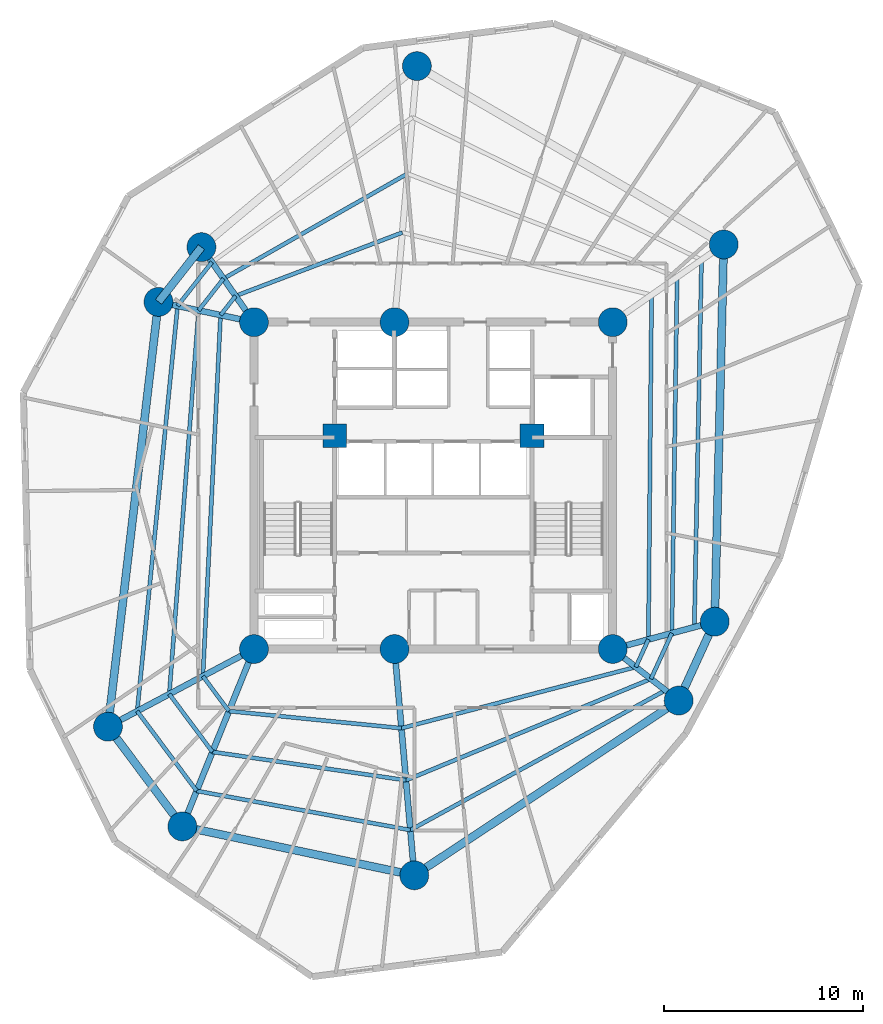
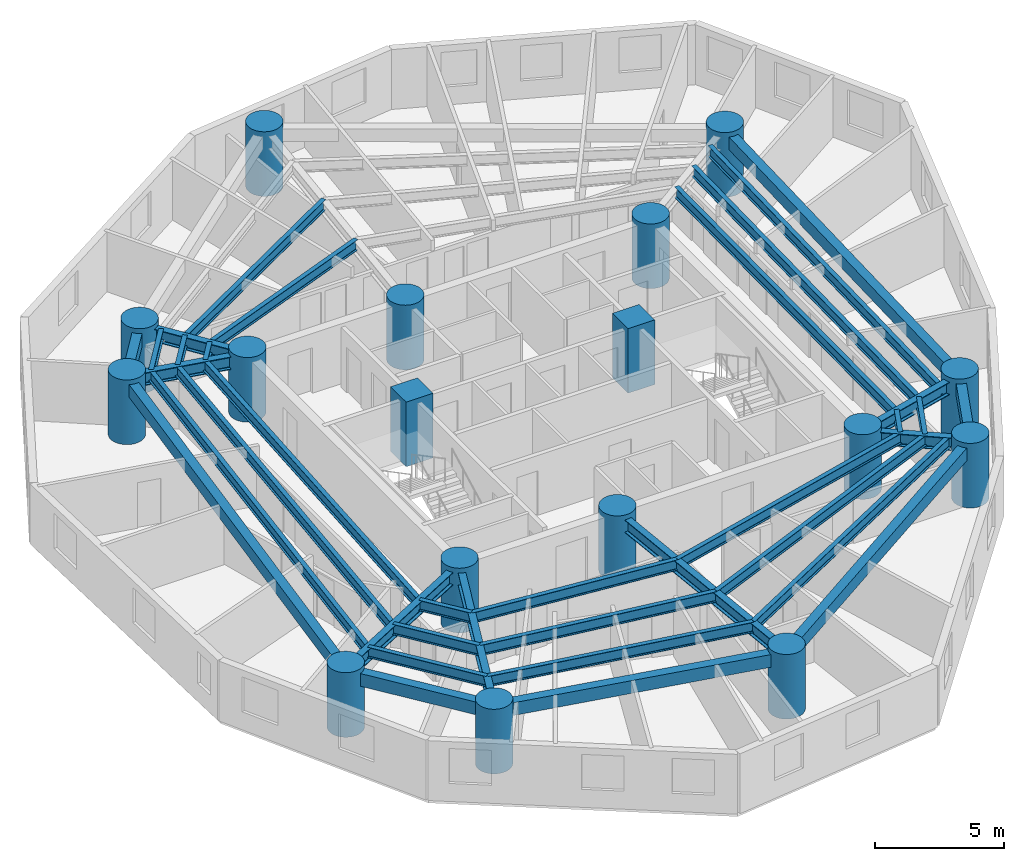
# One storey, part 1 of 8: 36 beams, 17 columns.
"""IFC4 building model written with IfcOpenShell, lengths in metres."""

from ifc_helpers import new_model, si_unit, direction, frame, origin, origin_with_axes, origin_2d, place, context, subcontext, project, spatial, rectangle, circle, i_section, extrude, source, transform, mapped, material, material_profile, profile_set, type_object, element, save


model = new_model("IFC4")

# Units and contexts
model_context = context("Model", 3, precision=1e-05, world=origin(), true_north=direction((0.0, 1.0)))
body_context = subcontext(model_context, "Body", "Model", "MODEL_VIEW")
ifc_project = project(units=[si_unit("LENGTHUNIT", "METRE"), si_unit("AREAUNIT", "SQUARE_METRE"), si_unit("VOLUMEUNIT", "CUBIC_METRE"), si_unit("PLANEANGLEUNIT", "RADIAN"), si_unit("MASSUNIT", "GRAM", prefix="KILO")], contexts=[model_context])

# Site, building, storey
site_placement = place(None, origin())
site = spatial("IfcSite", under=ifc_project, at=site_placement, CompositionType="ELEMENT")
building_placement = place(site_placement, origin())
building = spatial("IfcBuilding", under=site, at=building_placement, Name="Karkom Vertical University and Central Library", CompositionType="ELEMENT")
storey_placement = place(building_placement, frame((0.0, 0.0, 117.550048828125)))
storey = spatial("IfcBuildingStorey", under=building, at=storey_placement, Name="L32", CompositionType="ELEMENT", Elevation=117.550048828125)

# Columns
ifc_material_1 = material(Name="Concrete C50/60", Category="concrete")
ifc_material_profile_1 = material_profile(ifc_material_1, circle(Radius=0.72509765625, at=origin_2d()), Name="CFT-D1450")
ifc_profile_set_1 = profile_set([ifc_material_profile_1], Name="Concrete C50/60")
column_type_1 = type_object("IfcColumnType", Name="STR-COL-C-SC3", PredefinedType="COLUMN", material=ifc_profile_set_1)
shared_shape_1 = source(origin_with_axes(), body_context, "Body", "SweptSolid", [
    extrude(circle(Radius=0.72509765625, at=origin_2d()), origin(), (0.0, 0.0, 1.0), 3.050048828125),
])
for number, where, z_axis, x_axis, name in (
    (1, (19.5, 18.300048828125, 0.0), (0.0, 0.0, 1.0), (1.0, 0.0, 0.0), "Level 32 Spine Mega-Column SC-1"),
    (2, (26.550048828125, 18.300048828125, 0.0), (0.0, 0.0, 1.0), (1.0, 0.0, 0.0), "Level 32 Spine Mega-Column SC-2"),
    (3, (37.5, 18.300048828125, 0.0), (0.0, 0.0, 1.0), (1.0, 0.0, 0.0), "Level 32 Spine Mega-Column SC-3"),
    (4, (19.5, 34.699951171875, 0.0), (0.0, 0.0, 1.0), (1.0, 0.0, 0.0), "Level 32 Spine Mega-Column SC-4"),
    (5, (26.550048828125, 34.699951171875, 0.0), (0.0, 0.0, 1.0), (1.0, 0.0, 0.0), "Level 32 Spine Mega-Column SC-5"),
    (6, (37.5, 34.699951171875, 0.0), (0.0, 0.0, 1.0), (1.0, 0.0, 0.0), "Level 32 Spine Mega-Column SC-6"),
    (7, (42.618896484375, 19.672119140625, 0.0), (0.0, 0.0, 1.0), (1.0, 0.0, 0.0), "Level 32 Perimeter Mega-Column Z2-PC1"),
    (8, (43.070068359375, 38.60009765625, 0.0), (0.0, 0.0, 1.0), (1.0, 0.0, 0.0), "Level 32 Perimeter Mega-Column Z2-PC2"),
    (9, (27.674072265625, 47.551025390625, 0.0), (0.0, 0.0, 1.0), (1.0, 0.0, 0.0), "Level 32 Perimeter Mega-Column Z2-PC3"),
    (10, (16.862060546875, 38.468017578125, 0.0), (0.0, 0.0, 1.0), (1.0, 0.0, 0.0), "Level 32 Perimeter Mega-Column Z2-PC4"),
    (11, (14.70703125, 35.718994140625, 0.0), (0.0, 0.0, 1.0), (1.0, 0.0, 0.0), "Level 32 Perimeter Mega-Column Z2-PC5"),
    (12, (12.172119140625, 14.403076171875, 0.0), (0.0, 0.0, 1.0), (1.0, 0.0, 0.0), "Level 32 Perimeter Mega-Column Z2-PC6"),
    (13, (15.904052734375, 9.39892578125, 0.0), (0.0, 0.0, 1.0), (1.0, 0.0, 0.0), "Level 32 Perimeter Mega-Column Z2-PC7"),
    (14, (27.5439453125, 6.943115234375, 0.0), (0.0, 0.0, 1.0), (1.0, 0.0, 0.0), "Level 32 Perimeter Mega-Column Z2-PC8"),
    (15, (40.81005859375, 15.714111328125, 0.0), (0.0, 0.0, 1.0), (1.0, 0.0, 0.0), "Level 32 Perimeter Mega-Column Z2-PC9"),
):
    element("IfcColumn", number, at=place(storey_placement, frame(where, z_axis=z_axis, x_axis=x_axis)), inside=storey, type_object=column_type_1, Name=name, PredefinedType="COLUMN", context=body_context, shape_type="MappedRepresentation", body=[
        mapped(shared_shape_1, transform((0.0, 0.0, 0.0), scale=1.0)),
    ])
ifc_material_profile_2 = material_profile(ifc_material_1, rectangle(XDim=1.199951171875, YDim=1.199951171875, at=origin_2d()), Name="RC-1200x1200")
ifc_profile_set_2 = profile_set([ifc_material_profile_2], Name="Concrete C50/60")
column_type_2 = type_object("IfcColumnType", Name="STR-COL-C-CC1", PredefinedType="COLUMN", material=ifc_profile_set_2)
shared_shape_2 = source(origin_with_axes(), body_context, "Body", "SweptSolid", [
    extrude(rectangle(XDim=1.199951171875, YDim=1.199951171875, at=origin_2d()), origin(), (0.0, 0.0, 1.0), 3.050048828125),
])
for number, where, z_axis, x_axis, name in (
    (16, (23.550048828125, 29.0, 0.0), (0.0, 0.0, 1.0), (1.0, 0.0, 0.0), "Level 32 Core Node Column CC-1"),
    (17, (33.449951171875, 29.0, 0.0), (0.0, 0.0, 1.0), (1.0, 0.0, 0.0), "Level 32 Core Node Column CC-2"),
):
    element("IfcColumn", number, at=place(storey_placement, frame(where, z_axis=z_axis, x_axis=x_axis)), inside=storey, type_object=column_type_2, Name=name, PredefinedType="COLUMN", context=body_context, shape_type="MappedRepresentation", body=[
        mapped(shared_shape_2, transform((0.0, 0.0, 0.0), scale=1.0)),
    ])

# Beams
ifc_material_2 = material(Name="Precast concrete C45/55", Category="concrete")
ifc_material_profile_3 = material_profile(ifc_material_2, rectangle(XDim=0.39990234375, YDim=0.60009765625, at=origin_2d()), Name="SPB-400x600")
ifc_profile_set_3 = profile_set([ifc_material_profile_3], Name="Precast concrete C45/55")
beam_type_1 = type_object("IfcBeamType", Name="STR-BM-SP-1", PredefinedType="SPANDREL", material=ifc_profile_set_3)
shared_shape_3 = source(origin_with_axes(), body_context, "Body", "SweptSolid", [
    extrude(rectangle(XDim=0.39990234375, YDim=0.60009765625, at=origin_2d()), origin(), (0.0, 0.0, 1.0), 18.933349609375),
])
beam_1_placement = place(storey_placement, frame((42.618896484375, 19.672119140625, 2.52490234375), z_axis=(0.02382947333, 0.999716037783, 0.0), x_axis=(-0.999716037783, 0.02382947333, 0.0)))
element("IfcBeam", 18, at=beam_1_placement, inside=storey, type_object=beam_type_1, Name="Level 32 Perimeter Spandrel Beam 01", PredefinedType="SPANDREL", context=body_context, shape_type="MappedRepresentation", body=[
    mapped(shared_shape_3, transform((0.0, 0.0, 0.0), scale=1.0)),
])
shared_shape_4 = source(origin_with_axes(), body_context, "Body", "SweptSolid", [
    extrude(rectangle(XDim=0.39990234375, YDim=0.60009765625, at=origin_2d()), origin(), (0.0, 0.0, 1.0), 3.492919921875),
])
beam_2_placement = place(storey_placement, frame((16.862060546875, 38.468017578125, 2.52490234375), z_axis=(-0.616950700538, -0.787001799938, 0.0), x_axis=(0.787001799938, -0.616950700538, 0.0)))
element("IfcBeam", 19, at=beam_2_placement, inside=storey, type_object=beam_type_1, Name="Level 32 Perimeter Spandrel Beam 04", PredefinedType="SPANDREL", context=body_context, shape_type="MappedRepresentation", body=[
    mapped(shared_shape_4, transform((0.0, 0.0, 0.0), scale=1.0)),
])
shared_shape_5 = source(origin_with_axes(), body_context, "Body", "SweptSolid", [
    extrude(rectangle(XDim=0.39990234375, YDim=0.60009765625, at=origin_2d()), origin(), (0.0, 0.0, 1.0), 21.466064453125),
])
beam_3_placement = place(storey_placement, frame((14.70703125, 35.718994140625, 2.52490234375), z_axis=(-0.118088996795, -0.993003015522, 0.0), x_axis=(0.993003015522, -0.118088996795, 0.0)))
element("IfcBeam", 20, at=beam_3_placement, inside=storey, type_object=beam_type_1, Name="Level 32 Perimeter Spandrel Beam 05", PredefinedType="SPANDREL", context=body_context, shape_type="MappedRepresentation", body=[
    mapped(shared_shape_5, transform((0.0, 0.0, 0.0), scale=1.0)),
])
shared_shape_6 = source(origin_with_axes(), body_context, "Body", "SweptSolid", [
    extrude(rectangle(XDim=0.39990234375, YDim=0.60009765625, at=origin_2d()), origin(), (0.0, 0.0, 1.0), 6.242431640625),
])
beam_4_placement = place(storey_placement, frame((12.172119140625, 14.403076171875, 2.52490234375), z_axis=(0.59782643552, -0.801625569074, 0.0), x_axis=(0.801625569074, 0.59782643552, 0.0)))
element("IfcBeam", 21, at=beam_4_placement, inside=storey, type_object=beam_type_1, Name="Level 32 Perimeter Spandrel Beam 06", PredefinedType="SPANDREL", context=body_context, shape_type="MappedRepresentation", body=[
    mapped(shared_shape_6, transform((0.0, 0.0, 0.0), scale=1.0)),
])
shared_shape_7 = source(origin_with_axes(), body_context, "Body", "SweptSolid", [
    extrude(rectangle(XDim=0.39990234375, YDim=0.60009765625, at=origin_2d()), origin(), (0.0, 0.0, 1.0), 11.896240234375),
])
beam_5_placement = place(storey_placement, frame((15.904052734375, 9.39892578125, 2.52490234375), z_axis=(0.978459762135, -0.206437627101, 0.0), x_axis=(0.206437627101, 0.978459762135, 0.0)))
element("IfcBeam", 22, at=beam_5_placement, inside=storey, type_object=beam_type_1, Name="Level 32 Perimeter Spandrel Beam 07", PredefinedType="SPANDREL", context=body_context, shape_type="MappedRepresentation", body=[
    mapped(shared_shape_7, transform((0.0, 0.0, 0.0), scale=1.0)),
])
shared_shape_8 = source(origin_with_axes(), body_context, "Body", "SweptSolid", [
    extrude(rectangle(XDim=0.39990234375, YDim=0.60009765625, at=origin_2d()), origin(), (0.0, 0.0, 1.0), 15.903564453125),
])
beam_6_placement = place(storey_placement, frame((27.5439453125, 6.943115234375, 2.52490234375), z_axis=(0.834165069331, 0.551514856652, 0.0), x_axis=(-0.551514856652, 0.834165069331, 0.0)))
element("IfcBeam", 23, at=beam_6_placement, inside=storey, type_object=beam_type_1, Name="Level 32 Perimeter Spandrel Beam 08", PredefinedType="SPANDREL", context=body_context, shape_type="MappedRepresentation", body=[
    mapped(shared_shape_8, transform((0.0, 0.0, 0.0), scale=1.0)),
])
shared_shape_9 = source(origin_with_axes(), body_context, "Body", "SweptSolid", [
    extrude(rectangle(XDim=0.39990234375, YDim=0.60009765625, at=origin_2d()), origin(), (0.0, 0.0, 1.0), 4.351806640625),
])
beam_7_placement = place(storey_placement, frame((40.81005859375, 15.714111328125, 2.52490234375), z_axis=(0.415657668422, 0.909521139217, 0.0), x_axis=(-0.909521139217, 0.415657668422, 0.0)))
element("IfcBeam", 24, at=beam_7_placement, inside=storey, type_object=beam_type_1, Name="Level 32 Perimeter Spandrel Beam 09", PredefinedType="SPANDREL", context=body_context, shape_type="MappedRepresentation", body=[
    mapped(shared_shape_9, transform((0.0, 0.0, 0.0), scale=1.0)),
])
ifc_material_3 = material(Name="Steel S355", Category="steel")
ifc_material_profile_4 = material_profile(ifc_material_3, i_section(OverallWidth=0.199951171875, OverallDepth=0.5, WebThickness=0.01025390625, FlangeThickness=0.01611328125, FilletRadius=0.02099609375, at=origin_2d()), Name="IPE 500")
ifc_profile_set_4 = profile_set([ifc_material_profile_4], Name="Steel S355")
beam_type_2 = type_object("IfcBeamType", Name="STR-BM-SB-IPE500", PredefinedType="BEAM", material=ifc_profile_set_4)
shared_shape_10 = source(origin_with_axes(), body_context, "Body", "SweptSolid", [
    extrude(i_section(OverallWidth=0.199951171875, OverallDepth=0.5, WebThickness=0.01025390625, FlangeThickness=0.01611328125, FilletRadius=0.02099609375, at=origin_2d()), origin(), (0.0, 0.0, 1.0), 17.285400390625),
])
beam_8_placement = place(storey_placement, frame((39.29150390625, 18.7802734375, 2.574951171875), z_axis=(0.009138294648, 0.999958244914, 0.0), x_axis=(-0.999958244914, 0.009138294648, 0.0)))
element("IfcBeam", 25, at=beam_8_placement, inside=storey, type_object=beam_type_2, Name="Level 32 Secondary Composite Floor Beam 1.01", PredefinedType="BEAM", context=body_context, shape_type="MappedRepresentation", body=[
    mapped(shared_shape_10, transform((0.0, 0.0, 0.0), scale=1.0)),
])
shared_shape_11 = source(origin_with_axes(), body_context, "Body", "SweptSolid", [
    extrude(i_section(OverallWidth=0.199951171875, OverallDepth=0.5, WebThickness=0.01025390625, FlangeThickness=0.01611328125, FilletRadius=0.02099609375, at=origin_2d()), origin(), (0.0, 0.0, 1.0), 8.950439453125),
])
beam_9_placement = place(storey_placement, frame((26.943359375, 39.197998046875, 2.574951171875), z_axis=(-0.93478901494, -0.355203459368, 0.0), x_axis=(0.355203459368, -0.93478901494, 0.0)))
element("IfcBeam", 26, at=beam_9_placement, inside=storey, type_object=beam_type_2, Name="Level 32 Secondary Composite Floor Beam 1.03", PredefinedType="BEAM", context=body_context, shape_type="MappedRepresentation", body=[
    mapped(shared_shape_11, transform((0.0, 0.0, 0.0), scale=1.0)),
])
shared_shape_12 = source(origin_with_axes(), body_context, "Body", "SweptSolid", [
    extrude(i_section(OverallWidth=0.199951171875, OverallDepth=0.5, WebThickness=0.01025390625, FlangeThickness=0.01611328125, FilletRadius=0.02099609375, at=origin_2d()), origin(), (0.0, 0.0, 1.0), 1.222412109375),
])
beam_10_placement = place(storey_placement, frame((18.57666015625, 36.018798828125, 2.574951171875), z_axis=(-0.616895037184, -0.787045432677, 0.0), x_axis=(0.787045432677, -0.616895037184, 0.0)))
element("IfcBeam", 27, at=beam_10_placement, inside=storey, type_object=beam_type_2, Name="Level 32 Secondary Composite Floor Beam 1.04", PredefinedType="BEAM", context=body_context, shape_type="MappedRepresentation", body=[
    mapped(shared_shape_12, transform((0.0, 0.0, 0.0), scale=1.0)),
])
shared_shape_13 = source(origin_with_axes(), body_context, "Body", "SweptSolid", [
    extrude(i_section(OverallWidth=0.199951171875, OverallDepth=0.5, WebThickness=0.01025390625, FlangeThickness=0.01611328125, FilletRadius=0.02099609375, at=origin_2d()), origin(), (0.0, 0.0, 1.0), 18.142333984375),
])
beam_11_placement = place(storey_placement, frame((17.822509765625, 35.056640625, 2.574951171875), z_axis=(-0.048902644774, -0.998803549921, 0.0), x_axis=(0.998803549921, -0.048902644774, 0.0)))
element("IfcBeam", 28, at=beam_11_placement, inside=storey, type_object=beam_type_2, Name="Level 32 Secondary Composite Floor Beam 1.05", PredefinedType="BEAM", context=body_context, shape_type="MappedRepresentation", body=[
    mapped(shared_shape_13, transform((0.0, 0.0, 0.0), scale=1.0)),
])
shared_shape_14 = source(origin_with_axes(), body_context, "Body", "SweptSolid", [
    extrude(i_section(OverallWidth=0.199951171875, OverallDepth=0.5, WebThickness=0.01025390625, FlangeThickness=0.01611328125, FilletRadius=0.02099609375, at=origin_2d()), origin(), (0.0, 0.0, 1.0), 2.1845703125),
])
beam_12_placement = place(storey_placement, frame((16.935302734375, 16.93603515625, 2.574951171875), z_axis=(0.597870130664, -0.801592980795, 0.0), x_axis=(0.801592980795, 0.597870130664, 0.0)))
element("IfcBeam", 29, at=beam_12_placement, inside=storey, type_object=beam_type_2, Name="Level 32 Secondary Composite Floor Beam 1.06", PredefinedType="BEAM", context=body_context, shape_type="MappedRepresentation", body=[
    mapped(shared_shape_14, transform((0.0, 0.0, 0.0), scale=1.0)),
])
shared_shape_15 = source(origin_with_axes(), body_context, "Body", "SweptSolid", [
    extrude(i_section(OverallWidth=0.199951171875, OverallDepth=0.5, WebThickness=0.01025390625, FlangeThickness=0.01611328125, FilletRadius=0.02099609375, at=origin_2d()), origin(), (0.0, 0.0, 1.0), 8.698974609375),
])
beam_13_placement = place(storey_placement, frame((18.241455078125, 15.184814453125, 2.574951171875), z_axis=(0.995105588045, -0.098817349903, 0.0), x_axis=(0.098817349903, 0.995105588045, 0.0)))
element("IfcBeam", 30, at=beam_13_placement, inside=storey, type_object=beam_type_2, Name="Level 32 Secondary Composite Floor Beam 1.07", PredefinedType="BEAM", context=body_context, shape_type="MappedRepresentation", body=[
    mapped(shared_shape_15, transform((0.0, 0.0, 0.0), scale=1.0)),
])
shared_shape_16 = source(origin_with_axes(), body_context, "Body", "SweptSolid", [
    extrude(i_section(OverallWidth=0.199951171875, OverallDepth=0.5, WebThickness=0.01025390625, FlangeThickness=0.01611328125, FilletRadius=0.02099609375, at=origin_2d()), origin(), (0.0, 0.0, 1.0), 12.154541015625),
])
beam_14_placement = place(storey_placement, frame((26.89794921875, 14.3251953125, 2.574951171875), z_axis=(0.967579719768, 0.252565805077, 0.0), x_axis=(-0.252565805077, 0.967579719768, 0.0)))
element("IfcBeam", 31, at=beam_14_placement, inside=storey, type_object=beam_type_2, Name="Level 32 Secondary Composite Floor Beam 1.08", PredefinedType="BEAM", context=body_context, shape_type="MappedRepresentation", body=[
    mapped(shared_shape_16, transform((0.0, 0.0, 0.0), scale=1.0)),
])
shared_shape_17 = source(origin_with_axes(), body_context, "Body", "SweptSolid", [
    extrude(i_section(OverallWidth=0.199951171875, OverallDepth=0.5, WebThickness=0.01025390625, FlangeThickness=0.01611328125, FilletRadius=0.02099609375, at=origin_2d()), origin(), (0.0, 0.0, 1.0), 1.52294921875),
])
beam_15_placement = place(storey_placement, frame((38.658447265625, 17.39501953125, 2.574951171875), z_axis=(0.415649898107, 0.909524690266, 0.0), x_axis=(-0.909524690266, 0.415649898107, 0.0)))
element("IfcBeam", 32, at=beam_15_placement, inside=storey, type_object=beam_type_2, Name="Level 32 Secondary Composite Floor Beam 1.09", PredefinedType="BEAM", context=body_context, shape_type="MappedRepresentation", body=[
    mapped(shared_shape_17, transform((0.0, 0.0, 0.0), scale=1.0)),
])
shared_shape_18 = source(origin_with_axes(), body_context, "Body", "SweptSolid", [
    extrude(i_section(OverallWidth=0.199951171875, OverallDepth=0.5, WebThickness=0.01025390625, FlangeThickness=0.01611328125, FilletRadius=0.02099609375, at=origin_2d()), origin(), (0.0, 0.0, 1.0), 17.8681640625),
])
beam_16_placement = place(storey_placement, frame((40.468994140625, 19.095703125, 2.574951171875), z_axis=(0.014647239676, 0.999892723431, 0.0), x_axis=(-0.999892723431, 0.014647239676, 0.0)))
element("IfcBeam", 33, at=beam_16_placement, inside=storey, type_object=beam_type_2, Name="Level 32 Secondary Composite Floor Beam 2.01", PredefinedType="BEAM", context=body_context, shape_type="MappedRepresentation", body=[
    mapped(shared_shape_18, transform((0.0, 0.0, 0.0), scale=1.0)),
])
shared_shape_19 = source(origin_with_axes(), body_context, "Body", "SweptSolid", [
    extrude(i_section(OverallWidth=0.199951171875, OverallDepth=0.5, WebThickness=0.01025390625, FlangeThickness=0.01611328125, FilletRadius=0.02099609375, at=origin_2d()), origin(), (0.0, 0.0, 1.0), 10.629150390625),
])
beam_17_placement = place(storey_placement, frame((27.201904296875, 42.153564453125, 2.574951171875), z_axis=(-0.868539813491, -0.495619402748, 0.0), x_axis=(0.495619402748, -0.868539813491, 0.0)))
element("IfcBeam", 34, at=beam_17_placement, inside=storey, type_object=beam_type_2, Name="Level 32 Secondary Composite Floor Beam 2.03", PredefinedType="BEAM", context=body_context, shape_type="MappedRepresentation", body=[
    mapped(shared_shape_19, transform((0.0, 0.0, 0.0), scale=1.0)),
])
shared_shape_20 = source(origin_with_axes(), body_context, "Body", "SweptSolid", [
    extrude(i_section(OverallWidth=0.199951171875, OverallDepth=0.5, WebThickness=0.01025390625, FlangeThickness=0.01611328125, FilletRadius=0.02099609375, at=origin_2d()), origin(), (0.0, 0.0, 1.0), 2.02587890625),
])
beam_18_placement = place(storey_placement, frame((17.969970703125, 36.885498046875, 2.574951171875), z_axis=(-0.616889733535, -0.787049589708, 0.0), x_axis=(0.787049589708, -0.616889733535, 0.0)))
element("IfcBeam", 35, at=beam_18_placement, inside=storey, type_object=beam_type_2, Name="Level 32 Secondary Composite Floor Beam 2.04", PredefinedType="BEAM", context=body_context, shape_type="MappedRepresentation", body=[
    mapped(shared_shape_20, transform((0.0, 0.0, 0.0), scale=1.0)),
])
shared_shape_21 = source(origin_with_axes(), body_context, "Body", "SweptSolid", [
    extrude(i_section(OverallWidth=0.199951171875, OverallDepth=0.5, WebThickness=0.01025390625, FlangeThickness=0.01611328125, FilletRadius=0.02099609375, at=origin_2d()), origin(), (0.0, 0.0, 1.0), 19.307373046875),
])
beam_19_placement = place(storey_placement, frame((16.72021484375, 35.291015625, 2.574951171875), z_axis=(-0.07616078645, -0.997095549387, 0.0), x_axis=(0.997095549387, -0.07616078645, 0.0)))
element("IfcBeam", 36, at=beam_19_placement, inside=storey, type_object=beam_type_2, Name="Level 32 Secondary Composite Floor Beam 2.05", PredefinedType="BEAM", context=body_context, shape_type="MappedRepresentation", body=[
    mapped(shared_shape_21, transform((0.0, 0.0, 0.0), scale=1.0)),
])
shared_shape_22 = source(origin_with_axes(), body_context, "Body", "SweptSolid", [
    extrude(i_section(OverallWidth=0.199951171875, OverallDepth=0.5, WebThickness=0.01025390625, FlangeThickness=0.01611328125, FilletRadius=0.02099609375, at=origin_2d()), origin(), (0.0, 0.0, 1.0), 3.62060546875),
])
beam_20_placement = place(storey_placement, frame((15.249755859375, 16.039794921875, 2.574951171875), z_axis=(0.59784003707, -0.801615425298, 0.0), x_axis=(0.801615425298, 0.59784003707, 0.0)))
element("IfcBeam", 37, at=beam_20_placement, inside=storey, type_object=beam_type_2, Name="Level 32 Secondary Composite Floor Beam 2.06", PredefinedType="BEAM", context=body_context, shape_type="MappedRepresentation", body=[
    mapped(shared_shape_22, transform((0.0, 0.0, 0.0), scale=1.0)),
])
shared_shape_23 = source(origin_with_axes(), body_context, "Body", "SweptSolid", [
    extrude(i_section(OverallWidth=0.199951171875, OverallDepth=0.5, WebThickness=0.01025390625, FlangeThickness=0.01611328125, FilletRadius=0.02099609375, at=origin_2d()), origin(), (0.0, 0.0, 1.0), 9.816162109375),
])
beam_21_placement = place(storey_placement, frame((17.414306640625, 13.137451171875, 2.574951171875), z_axis=(0.989413295367, -0.145125225069, 0.0), x_axis=(0.145125225069, 0.989413295367, 0.0)))
element("IfcBeam", 38, at=beam_21_placement, inside=storey, type_object=beam_type_2, Name="Level 32 Secondary Composite Floor Beam 2.07", PredefinedType="BEAM", context=body_context, shape_type="MappedRepresentation", body=[
    mapped(shared_shape_23, transform((0.0, 0.0, 0.0), scale=1.0)),
])
shared_shape_24 = source(origin_with_axes(), body_context, "Body", "SweptSolid", [
    extrude(i_section(OverallWidth=0.199951171875, OverallDepth=0.5, WebThickness=0.01025390625, FlangeThickness=0.01611328125, FilletRadius=0.02099609375, at=origin_2d()), origin(), (0.0, 0.0, 1.0), 13.304443359375),
])
beam_22_placement = place(storey_placement, frame((27.12646484375, 11.712890625, 2.574951171875), z_axis=(0.924011243398, 0.382365299255, 0.0), x_axis=(-0.382365299255, 0.924011243398, 0.0)))
element("IfcBeam", 39, at=beam_22_placement, inside=storey, type_object=beam_type_2, Name="Level 32 Secondary Composite Floor Beam 2.08", PredefinedType="BEAM", context=body_context, shape_type="MappedRepresentation", body=[
    mapped(shared_shape_24, transform((0.0, 0.0, 0.0), scale=1.0)),
])
shared_shape_25 = source(origin_with_axes(), body_context, "Body", "SweptSolid", [
    extrude(i_section(OverallWidth=0.199951171875, OverallDepth=0.5, WebThickness=0.01025390625, FlangeThickness=0.01611328125, FilletRadius=0.02099609375, at=origin_2d()), origin(), (0.0, 0.0, 1.0), 2.52392578125),
])
beam_23_placement = place(storey_placement, frame((39.419921875, 16.800048828125, 2.574951171875), z_axis=(0.415638602127, 0.909529852408, 0.0), x_axis=(-0.909529852408, 0.415638602127, 0.0)))
element("IfcBeam", 40, at=beam_23_placement, inside=storey, type_object=beam_type_2, Name="Level 32 Secondary Composite Floor Beam 2.09", PredefinedType="BEAM", context=body_context, shape_type="MappedRepresentation", body=[
    mapped(shared_shape_25, transform((0.0, 0.0, 0.0), scale=1.0)),
])
shared_shape_26 = source(origin_with_axes(), body_context, "Body", "SweptSolid", [
    extrude(i_section(OverallWidth=0.199951171875, OverallDepth=0.5, WebThickness=0.01025390625, FlangeThickness=0.01611328125, FilletRadius=0.02099609375, at=origin_2d()), origin(), (0.0, 0.0, 1.0), 18.42578125),
])
beam_24_placement = place(storey_placement, frame((41.59521484375, 19.397705078125, 2.574951171875), z_axis=(0.019583298818, 0.999808228816, 0.0), x_axis=(-0.999808228816, 0.019583298818, 0.0)))
element("IfcBeam", 41, at=beam_24_placement, inside=storey, type_object=beam_type_2, Name="Level 32 Secondary Composite Floor Beam 3.01", PredefinedType="BEAM", context=body_context, shape_type="MappedRepresentation", body=[
    mapped(shared_shape_26, transform((0.0, 0.0, 0.0), scale=1.0)),
])
shared_shape_27 = source(origin_with_axes(), body_context, "Body", "SweptSolid", [
    extrude(i_section(OverallWidth=0.199951171875, OverallDepth=0.5, WebThickness=0.01025390625, FlangeThickness=0.01611328125, FilletRadius=0.02099609375, at=origin_2d()), origin(), (0.0, 0.0, 1.0), 2.79443359375),
])
beam_25_placement = place(storey_placement, frame((17.3896484375, 37.71435546875, 2.574951171875), z_axis=(-0.616972344898, -0.786984831894, 0.0), x_axis=(0.786984831894, -0.616972344898, 0.0)))
element("IfcBeam", 42, at=beam_25_placement, inside=storey, type_object=beam_type_2, Name="Level 32 Secondary Composite Floor Beam 3.04", PredefinedType="BEAM", context=body_context, shape_type="MappedRepresentation", body=[
    mapped(shared_shape_27, transform((0.0, 0.0, 0.0), scale=1.0)),
])
shared_shape_28 = source(origin_with_axes(), body_context, "Body", "SweptSolid", [
    extrude(i_section(OverallWidth=0.199951171875, OverallDepth=0.5, WebThickness=0.01025390625, FlangeThickness=0.01611328125, FilletRadius=0.02099609375, at=origin_2d()), origin(), (0.0, 0.0, 1.0), 20.43359375),
])
beam_26_placement = place(storey_placement, frame((15.66552734375, 35.51513671875, 2.574951171875), z_axis=(-0.099239913611, -0.995063535432, 0.0), x_axis=(0.995063535432, -0.099239913611, 0.0)))
element("IfcBeam", 43, at=beam_26_placement, inside=storey, type_object=beam_type_2, Name="Level 32 Secondary Composite Floor Beam 3.05", PredefinedType="BEAM", context=body_context, shape_type="MappedRepresentation", body=[
    mapped(shared_shape_28, transform((0.0, 0.0, 0.0), scale=1.0)),
])
shared_shape_29 = source(origin_with_axes(), body_context, "Body", "SweptSolid", [
    extrude(i_section(OverallWidth=0.199951171875, OverallDepth=0.5, WebThickness=0.01025390625, FlangeThickness=0.01611328125, FilletRadius=0.02099609375, at=origin_2d()), origin(), (0.0, 0.0, 1.0), 4.993896484375),
])
beam_27_placement = place(storey_placement, frame((13.6376953125, 15.182373046875, 2.574951171875), z_axis=(0.597846775537, -0.801610399745, 0.0), x_axis=(0.801610399745, 0.597846775537, 0.0)))
element("IfcBeam", 44, at=beam_27_placement, inside=storey, type_object=beam_type_2, Name="Level 32 Secondary Composite Floor Beam 3.06", PredefinedType="BEAM", context=body_context, shape_type="MappedRepresentation", body=[
    mapped(shared_shape_29, transform((0.0, 0.0, 0.0), scale=1.0)),
])
shared_shape_30 = source(origin_with_axes(), body_context, "Body", "SweptSolid", [
    extrude(i_section(OverallWidth=0.199951171875, OverallDepth=0.5, WebThickness=0.01025390625, FlangeThickness=0.01611328125, FilletRadius=0.02099609375, at=origin_2d()), origin(), (0.0, 0.0, 1.0), 10.900390625),
])
beam_28_placement = place(storey_placement, frame((16.623291015625, 11.17919921875, 2.574951171875), z_axis=(0.98362026014, -0.180253110495, 0.0), x_axis=(0.180253110495, 0.98362026014, 0.0)))
element("IfcBeam", 45, at=beam_28_placement, inside=storey, type_object=beam_type_2, Name="Level 32 Secondary Composite Floor Beam 3.07", PredefinedType="BEAM", context=body_context, shape_type="MappedRepresentation", body=[
    mapped(shared_shape_30, transform((0.0, 0.0, 0.0), scale=1.0)),
])
shared_shape_31 = source(origin_with_axes(), body_context, "Body", "SweptSolid", [
    extrude(i_section(OverallWidth=0.199951171875, OverallDepth=0.5, WebThickness=0.01025390625, FlangeThickness=0.01611328125, FilletRadius=0.02099609375, at=origin_2d()), origin(), (0.0, 0.0, 1.0), 14.599609375),
])
beam_29_placement = place(storey_placement, frame((27.34521484375, 9.21435546875, 2.574951171875), z_axis=(0.876928143127, 0.480621505752, 0.0), x_axis=(-0.480621505752, 0.876928143127, 0.0)))
element("IfcBeam", 46, at=beam_29_placement, inside=storey, type_object=beam_type_2, Name="Level 32 Secondary Composite Floor Beam 3.08", PredefinedType="BEAM", context=body_context, shape_type="MappedRepresentation", body=[
    mapped(shared_shape_31, transform((0.0, 0.0, 0.0), scale=1.0)),
])
ifc_material_profile_5 = material_profile(ifc_material_3, i_section(OverallWidth=0.300048828125, OverallDepth=0.60009765625, WebThickness=0.015380859375, FlangeThickness=0.030029296875, FilletRadius=0.027099609375, at=origin_2d()), Name="HE 600 B")
ifc_profile_set_5 = profile_set([ifc_material_profile_5], Name="Steel S355")
beam_type_3 = type_object("IfcBeamType", Name="STR-BM-SB-HE600", PredefinedType="USERDEFINED", material=ifc_profile_set_5)
shared_shape_32 = source(origin_with_axes(), body_context, "Body", "SweptSolid", [
    extrude(i_section(OverallWidth=0.300048828125, OverallDepth=0.60009765625, WebThickness=0.015380859375, FlangeThickness=0.030029296875, FilletRadius=0.027099609375, at=origin_2d()), origin(), (0.0, 0.0, 1.0), 5.299560546875),
])
beam_30_placement = place(storey_placement, frame((37.5, 18.300048828125, 2.52490234375), z_axis=(0.965903833688, 0.258901108663, 0.0), x_axis=(-0.258901108663, 0.965903833688, 0.0)))
element("IfcBeam", 47, at=beam_30_placement, inside=storey, type_object=beam_type_3, Name="Level 32 Radial Frame Girder 01", ObjectType="GIRDER", PredefinedType="USERDEFINED", context=body_context, shape_type="MappedRepresentation", body=[
    mapped(shared_shape_32, transform((0.0, 0.0, 0.0), scale=1.0)),
])
shared_shape_33 = source(origin_with_axes(), body_context, "Body", "SweptSolid", [
    extrude(i_section(OverallWidth=0.300048828125, OverallDepth=0.60009765625, WebThickness=0.015380859375, FlangeThickness=0.030029296875, FilletRadius=0.027099609375, at=origin_2d()), origin(), (0.0, 0.0, 1.0), 4.599609375),
])
beam_31_placement = place(storey_placement, frame((19.5, 34.699951171875, 2.52490234375), z_axis=(-0.573505090764, 0.819201996377, 0.0), x_axis=(-0.819201996377, -0.573505090764, 0.0)))
element("IfcBeam", 48, at=beam_31_placement, inside=storey, type_object=beam_type_3, Name="Level 32 Radial Frame Girder 04", ObjectType="GIRDER", PredefinedType="USERDEFINED", context=body_context, shape_type="MappedRepresentation", body=[
    mapped(shared_shape_33, transform((0.0, 0.0, 0.0), scale=1.0)),
])
shared_shape_34 = source(origin_with_axes(), body_context, "Body", "SweptSolid", [
    extrude(i_section(OverallWidth=0.300048828125, OverallDepth=0.60009765625, WebThickness=0.015380859375, FlangeThickness=0.030029296875, FilletRadius=0.027099609375, at=origin_2d()), origin(), (0.0, 0.0, 1.0), 4.900146484375),
])
beam_32_placement = place(storey_placement, frame((19.5, 34.699951171875, 2.52490234375), z_axis=(-0.978136559131, 0.207963630695, 0.0), x_axis=(-0.207963630695, -0.978136559131, 0.0)))
element("IfcBeam", 49, at=beam_32_placement, inside=storey, type_object=beam_type_3, Name="Level 32 Radial Frame Girder 05", ObjectType="GIRDER", PredefinedType="USERDEFINED", context=body_context, shape_type="MappedRepresentation", body=[
    mapped(shared_shape_34, transform((0.0, 0.0, 0.0), scale=1.0)),
])
shared_shape_35 = source(origin_with_axes(), body_context, "Body", "SweptSolid", [
    extrude(i_section(OverallWidth=0.300048828125, OverallDepth=0.60009765625, WebThickness=0.015380859375, FlangeThickness=0.030029296875, FilletRadius=0.027099609375, at=origin_2d()), origin(), (0.0, 0.0, 1.0), 8.299560546875),
])
beam_33_placement = place(storey_placement, frame((19.5, 18.300048828125, 2.52490234375), z_axis=(-0.882914163564, -0.469534428746, 0.0), x_axis=(0.469534428746, -0.882914163564, 0.0)))
element("IfcBeam", 50, at=beam_33_placement, inside=storey, type_object=beam_type_3, Name="Level 32 Radial Frame Girder 06", ObjectType="GIRDER", PredefinedType="USERDEFINED", context=body_context, shape_type="MappedRepresentation", body=[
    mapped(shared_shape_35, transform((0.0, 0.0, 0.0), scale=1.0)),
])
shared_shape_36 = source(origin_with_axes(), body_context, "Body", "SweptSolid", [
    extrude(i_section(OverallWidth=0.300048828125, OverallDepth=0.60009765625, WebThickness=0.015380859375, FlangeThickness=0.030029296875, FilletRadius=0.027099609375, at=origin_2d()), origin(), (0.0, 0.0, 1.0), 9.60009765625),
])
beam_34_placement = place(storey_placement, frame((19.5, 18.300048828125, 2.52490234375), z_axis=(-0.374576157034, -0.927196151082, 0.0), x_axis=(0.927196151082, -0.374576157034, 0.0)))
element("IfcBeam", 51, at=beam_34_placement, inside=storey, type_object=beam_type_3, Name="Level 32 Radial Frame Girder 07", ObjectType="GIRDER", PredefinedType="USERDEFINED", context=body_context, shape_type="MappedRepresentation", body=[
    mapped(shared_shape_36, transform((0.0, 0.0, 0.0), scale=1.0)),
])
shared_shape_37 = source(origin_with_axes(), body_context, "Body", "SweptSolid", [
    extrude(i_section(OverallWidth=0.300048828125, OverallDepth=0.60009765625, WebThickness=0.015380859375, FlangeThickness=0.030029296875, FilletRadius=0.027099609375, at=origin_2d()), origin(), (0.0, 0.0, 1.0), 11.400390625),
])
beam_35_placement = place(storey_placement, frame((26.550048828125, 18.300048828125, 2.52490234375), z_axis=(0.087181295702, -0.996192462168, 0.0), x_axis=(0.996192462168, 0.087181295702, 0.0)))
element("IfcBeam", 52, at=beam_35_placement, inside=storey, type_object=beam_type_3, Name="Level 32 Radial Frame Girder 08", ObjectType="GIRDER", PredefinedType="USERDEFINED", context=body_context, shape_type="MappedRepresentation", body=[
    mapped(shared_shape_37, transform((0.0, 0.0, 0.0), scale=1.0)),
])
shared_shape_38 = source(origin_with_axes(), body_context, "Body", "SweptSolid", [
    extrude(i_section(OverallWidth=0.300048828125, OverallDepth=0.60009765625, WebThickness=0.015380859375, FlangeThickness=0.030029296875, FilletRadius=0.027099609375, at=origin_2d()), origin(), (0.0, 0.0, 1.0), 4.200439453125),
])
beam_36_placement = place(storey_placement, frame((37.5, 18.300048828125, 2.52490234375), z_axis=(0.788029660796, -0.615637274461, 0.0), x_axis=(0.615637274461, 0.788029660796, 0.0)))
element("IfcBeam", 53, at=beam_36_placement, inside=storey, type_object=beam_type_3, Name="Level 32 Radial Frame Girder 09", ObjectType="GIRDER", PredefinedType="USERDEFINED", context=body_context, shape_type="MappedRepresentation", body=[
    mapped(shared_shape_38, transform((0.0, 0.0, 0.0), scale=1.0)),
])

save(model, "model.ifc")
